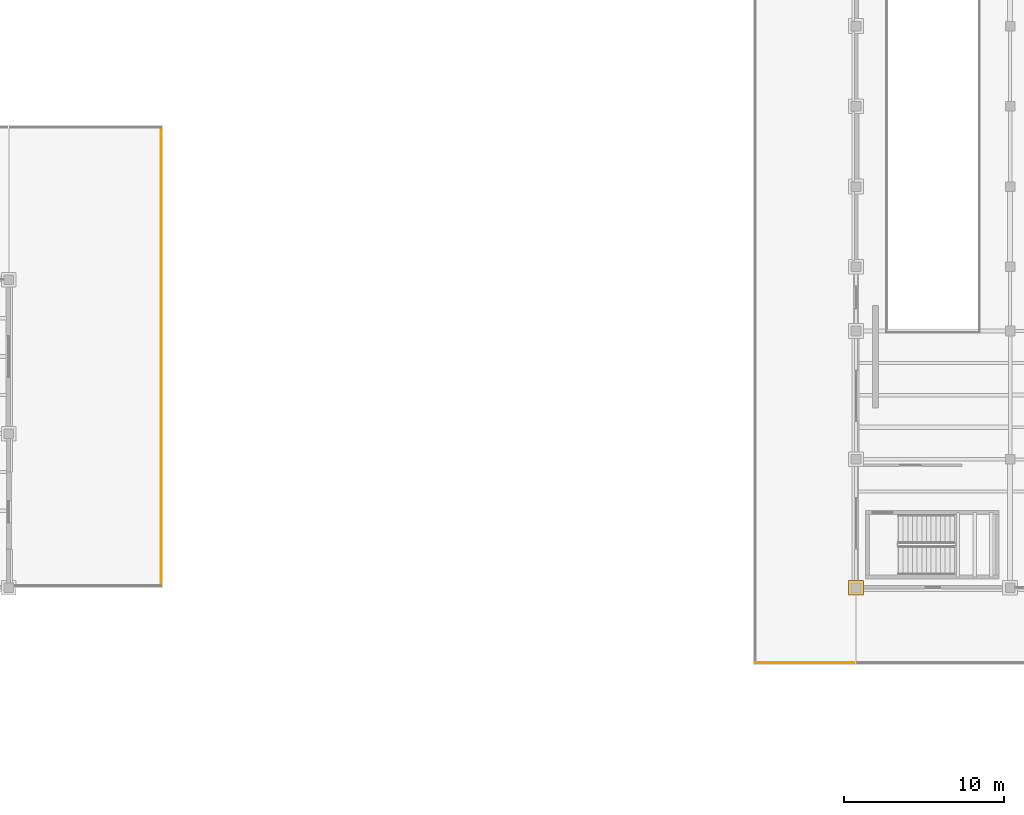
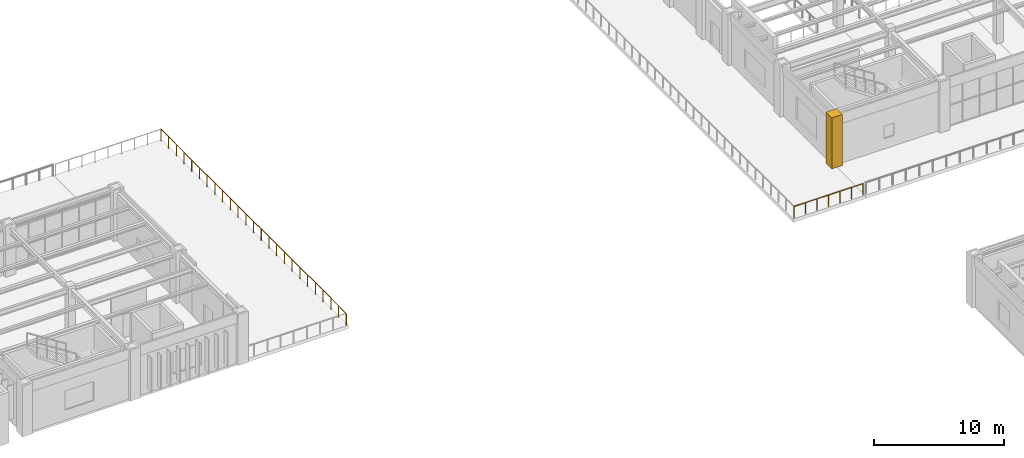
# One storey, part 73 of 83: 2 railings, 1 covering.
"""IFC4 building model written with IfcOpenShell, lengths in metres."""

from ifc_helpers import new_model, si_unit, direction, frame, origin, origin_2d, place, context, subcontext, project, spatial, polyline, circle, outline, extrude, material, layer, layer_set, type_object, element, save


model = new_model("IFC4")

# Units and contexts
model_context = context("Model", 3, precision=1e-05, world=origin(), true_north=direction((0.0, 1.0)))
body_context = subcontext(model_context, "Body", "Model", "MODEL_VIEW")
ifc_project = project(units=[si_unit("LENGTHUNIT", "METRE"), si_unit("AREAUNIT", "SQUARE_METRE"), si_unit("VOLUMEUNIT", "CUBIC_METRE"), si_unit("PLANEANGLEUNIT", "RADIAN"), si_unit("MASSUNIT", "GRAM", prefix="KILO")], contexts=[model_context])

# Site, building, storey
site_placement = place(None, origin())
site = spatial("IfcSite", under=ifc_project, at=site_placement, CompositionType="ELEMENT")
building_placement = place(site_placement, origin())
building = spatial("IfcBuilding", under=site, at=building_placement, Name="Mavantir Sound Aquarium", CompositionType="ELEMENT")
storey_placement = place(building_placement, frame((0.0, 0.0, 10.5)))
storey = spatial("IfcBuildingStorey", under=building, at=storey_placement, Name="L02", CompositionType="ELEMENT", Elevation=10.5)

# Covering
ifc_material_1 = material(Name="Honed Coral-Limestone & Glazed Terracotta Rainscreen Cladding", Category="masonry")
ifc_layer = layer(ifc_material_1, 0.06005859375, Name="Honed Coral-Limestone & Glazed Terracotta Rainscreen Cladding")
ifc_layer_set = layer_set([ifc_layer], Name="Honed Coral-Limestone & Glazed Terracotta Rainscreen Cladding")
covering_type = type_object("IfcCoveringType", Name="COV-CLAD-TC", PredefinedType="CLADDING", material=ifc_layer_set)
covering_placement = place(storey_placement, origin())
element("IfcCovering", 1, at=covering_placement, inside=storey, type_object=covering_type, Name="L02 Postmodern coral-limestone pilaster casing 229", PredefinedType="CLADDING", context=body_context, shape_type="SweptSolid", body=[
    extrude(outline(polyline([(107.5400390625, 40.340087890625), (108.4599609375, 40.340087890625), (108.4599609375, 41.260009765625), (107.5400390625, 41.260009765625), (107.5400390625, 40.340087890625)])), origin(), (0.0, 0.0, 1.0), 4.800048828125),
])

# Railings
ifc_material_2 = material(Name="Stainless Steel 316 and Laminated Glass Guardrail", Category="steel")
railing_type = type_object("IfcRailingType", Name="RL-GUARD-110", PredefinedType="GUARDRAIL", material=ifc_material_2)
railing_1_placement = place(storey_placement, frame((64.679931640625, 40.919921875, 0.0)))
element("IfcRailing", 2, at=railing_1_placement, inside=storey, type_object=railing_type, Name="L02 terrace E guardrail 15", PredefinedType="GUARDRAIL", context=body_context, shape_type="SweptSolid", body=[
    extrude(circle(Radius=0.02392578125, at=origin_2d()), frame((0.0, 0.0, 1.076171875), z_axis=(0.0, 1.0, 0.0), x_axis=(-1.0, 0.0, 0.0)), (0.0, 0.0, 1.0), 28.56005859375),
    extrude(circle(Radius=0.02099609375, at=origin_2d()), origin(), (0.0, 0.0, 1.0), 1.052001953125),
    extrude(circle(Radius=0.02099609375, at=origin_2d()), frame((0.0, 1.18994140625, 0.0)), (0.0, 0.0, 1.0), 1.052001953125),
    extrude(circle(Radius=0.02099609375, at=origin_2d()), frame((0.0, 2.3798828125, 0.0)), (0.0, 0.0, 1.0), 1.052001953125),
    extrude(circle(Radius=0.02099609375, at=origin_2d()), frame((0.0, 3.570068359375, 0.0)), (0.0, 0.0, 1.0), 1.052001953125),
    extrude(circle(Radius=0.02099609375, at=origin_2d()), frame((0.0, 4.760009765625, 0.0)), (0.0, 0.0, 1.0), 1.052001953125),
    extrude(circle(Radius=0.02099609375, at=origin_2d()), frame((0.0, 5.949951171875, 0.0)), (0.0, 0.0, 1.0), 1.052001953125),
    extrude(circle(Radius=0.02099609375, at=origin_2d()), frame((0.0, 7.14013671875, 0.0)), (0.0, 0.0, 1.0), 1.052001953125),
    extrude(circle(Radius=0.02099609375, at=origin_2d()), frame((0.0, 8.330078125, 0.0)), (0.0, 0.0, 1.0), 1.052001953125),
    extrude(circle(Radius=0.02099609375, at=origin_2d()), frame((0.0, 9.52001953125, 0.0)), (0.0, 0.0, 1.0), 1.052001953125),
    extrude(circle(Radius=0.02099609375, at=origin_2d()), frame((0.0, 10.7099609375, 0.0)), (0.0, 0.0, 1.0), 1.052001953125),
    extrude(circle(Radius=0.02099609375, at=origin_2d()), frame((0.0, 11.89990234375, 0.0)), (0.0, 0.0, 1.0), 1.052001953125),
    extrude(circle(Radius=0.02099609375, at=origin_2d()), frame((0.0, 13.090087890625, 0.0)), (0.0, 0.0, 1.0), 1.052001953125),
    extrude(circle(Radius=0.02099609375, at=origin_2d()), frame((0.0, 14.280029296875, 0.0)), (0.0, 0.0, 1.0), 1.052001953125),
    extrude(circle(Radius=0.02099609375, at=origin_2d()), frame((0.0, 15.469970703125, 0.0)), (0.0, 0.0, 1.0), 1.052001953125),
    extrude(circle(Radius=0.02099609375, at=origin_2d()), frame((0.0, 16.66015625, 0.0)), (0.0, 0.0, 1.0), 1.052001953125),
    extrude(circle(Radius=0.02099609375, at=origin_2d()), frame((0.0, 17.85009765625, 0.0)), (0.0, 0.0, 1.0), 1.052001953125),
    extrude(circle(Radius=0.02099609375, at=origin_2d()), frame((0.0, 19.0400390625, 0.0)), (0.0, 0.0, 1.0), 1.052001953125),
    extrude(circle(Radius=0.02099609375, at=origin_2d()), frame((0.0, 20.22998046875, 0.0)), (0.0, 0.0, 1.0), 1.052001953125),
    extrude(circle(Radius=0.02099609375, at=origin_2d()), frame((0.0, 21.419921875, 0.0)), (0.0, 0.0, 1.0), 1.052001953125),
    extrude(circle(Radius=0.02099609375, at=origin_2d()), frame((0.0, 22.610107421875, 0.0)), (0.0, 0.0, 1.0), 1.052001953125),
    extrude(circle(Radius=0.02099609375, at=origin_2d()), frame((0.0, 23.800048828125, 0.0)), (0.0, 0.0, 1.0), 1.052001953125),
    extrude(circle(Radius=0.02099609375, at=origin_2d()), frame((0.0, 24.989990234375, 0.0)), (0.0, 0.0, 1.0), 1.052001953125),
    extrude(circle(Radius=0.02099609375, at=origin_2d()), frame((0.0, 26.18017578125, 0.0)), (0.0, 0.0, 1.0), 1.052001953125),
    extrude(circle(Radius=0.02099609375, at=origin_2d()), frame((0.0, 27.3701171875, 0.0)), (0.0, 0.0, 1.0), 1.052001953125),
    extrude(circle(Radius=0.02099609375, at=origin_2d()), frame((0.0, 28.56005859375, 0.0)), (0.0, 0.0, 1.0), 1.052001953125),
])
railing_2_placement = place(storey_placement, frame((101.719970703125, 36.1201171875, 0.0)))
element("IfcRailing", 3, at=railing_2_placement, inside=storey, type_object=railing_type, Name="L02 terrace S guardrail 37", PredefinedType="GUARDRAIL", context=body_context, shape_type="SweptSolid", body=[
    extrude(circle(Radius=0.02392578125, at=origin_2d()), frame((0.0, 0.0, 1.076171875), z_axis=(1.0, 0.0, 0.0), x_axis=(0.0, 1.0, 0.0)), (0.0, 0.0, 1.0), 6.159912109375),
    extrude(circle(Radius=0.02099609375, at=origin_2d()), origin(), (0.0, 0.0, 1.0), 1.052001953125),
    extrude(circle(Radius=0.02099609375, at=origin_2d()), frame((1.026611328125, 0.0, 0.0)), (0.0, 0.0, 1.0), 1.052001953125),
    extrude(circle(Radius=0.02099609375, at=origin_2d()), frame((2.05322265625, 0.0, 0.0)), (0.0, 0.0, 1.0), 1.052001953125),
    extrude(circle(Radius=0.02099609375, at=origin_2d()), frame((3.080078125, 0.0, 0.0)), (0.0, 0.0, 1.0), 1.052001953125),
    extrude(circle(Radius=0.02099609375, at=origin_2d()), frame((4.106689453125, 0.0, 0.0)), (0.0, 0.0, 1.0), 1.052001953125),
    extrude(circle(Radius=0.02099609375, at=origin_2d()), frame((5.13330078125, 0.0, 0.0)), (0.0, 0.0, 1.0), 1.052001953125),
    extrude(circle(Radius=0.02099609375, at=origin_2d()), frame((6.159912109375, 0.0, 0.0)), (0.0, 0.0, 1.0), 1.052001953125),
])

save(model, "model.ifc")
